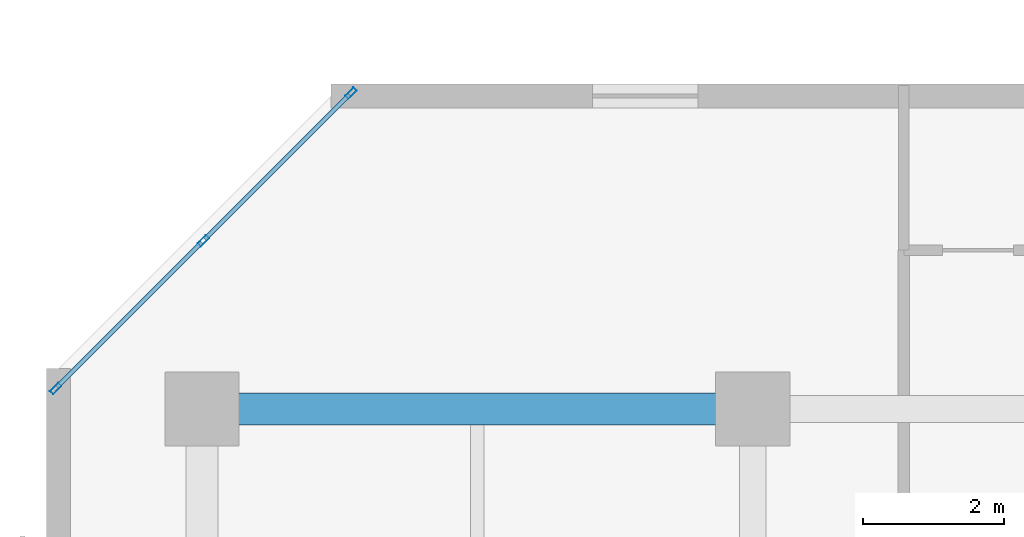
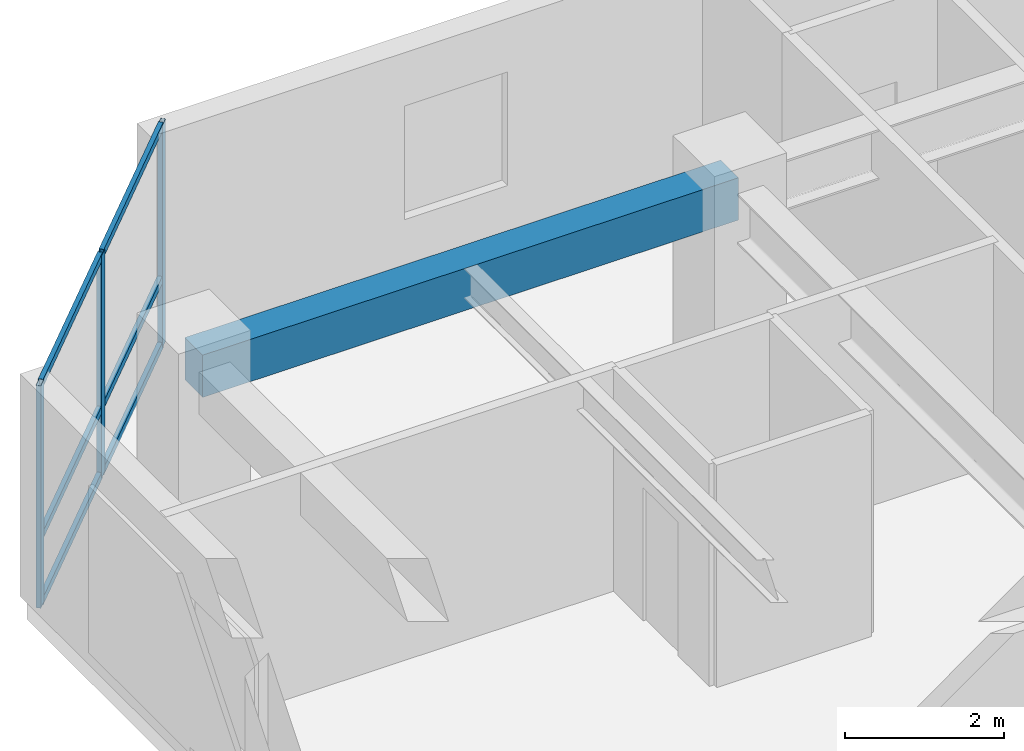
# One storey, part 2 of 11: 9 members, 1 beam, 1 element without a shape of its own.
"""IFC4 building model written with IfcOpenShell, lengths in metres."""

from ifc_helpers import new_model, si_unit, direction, frame, origin, origin_2d, place, context, subcontext, project, spatial, rectangle, hollow_rectangle, extrude, material, layer, layer_set, material_profile, profile_set, type_object, element, aggregate, save


model = new_model("IFC4")

# Units and contexts
model_context = context("Model", 3, precision=1e-05, world=origin(), true_north=direction((0.0, 1.0)))
body_context = subcontext(model_context, "Body", "Model", "MODEL_VIEW")
ifc_project = project(units=[si_unit("LENGTHUNIT", "METRE"), si_unit("AREAUNIT", "SQUARE_METRE"), si_unit("VOLUMEUNIT", "CUBIC_METRE"), si_unit("PLANEANGLEUNIT", "RADIAN"), si_unit("MASSUNIT", "GRAM", prefix="KILO")], contexts=[model_context])

# Site, building, storey
site_placement = place(None, origin())
site = spatial("IfcSite", under=ifc_project, at=site_placement, CompositionType="ELEMENT")
building_placement = place(site_placement, origin())
building = spatial("IfcBuilding", under=site, at=building_placement, Name="Kestravale Grand Hotel", CompositionType="ELEMENT")
storey_placement = place(building_placement, frame((0.0, 0.0, 180.199951171875)))
storey = spatial("IfcBuildingStorey", under=building, at=storey_placement, Name="L45", CompositionType="ELEMENT", Elevation=180.199951171875)

# Beam
ifc_material_1 = material(Name="Concrete f'c 45 MPa", Category="concrete")
ifc_material_profile_1 = material_profile(ifc_material_1, rectangle(XDim=0.449951171875, YDim=0.64990234375, at=origin_2d()))
ifc_profile_set_1 = profile_set([ifc_material_profile_1], Name="Concrete f'c 45 MPa")
beam_type = type_object("IfcBeamType", Name="B-FLR-RC650", PredefinedType="SPANDREL", material=ifc_profile_set_1)
beam_placement = place(storey_placement, frame((7.800048828125, 38.39990234375, 3.094970703125), z_axis=(1.0, 0.0, 0.0), x_axis=(0.0, 1.0, 0.0)))
element("IfcBeam", 1, at=beam_placement, inside=storey, type_object=beam_type, Name="L45 spandrel F:2-3", PredefinedType="SPANDREL", context=body_context, shape_type="SweptSolid", body=[
    extrude(rectangle(XDim=0.449951171875, YDim=0.64990234375, at=origin_2d()), origin(), (0.0, 0.0, 1.0), 7.800048828125),
])

# Curtain wall, members
ifc_material_2 = material(Name="Thermally broken champagne-bronze aluminium and low-E glazing", Category="aluminium")
ifc_layer = layer(ifc_material_2, 0.179931640625)
ifc_layer_set = layer_set([ifc_layer], Name="CW-Z3")
curtain_wall_type = type_object("IfcCurtainWallType", Name="CW-Z3", PredefinedType="NOTDEFINED", material=ifc_layer_set)
curtain_wall_placement = place(storey_placement, origin())
curtain_wall = element("IfcCurtainWall", 2, at=curtain_wall_placement, inside=storey, type_object=curtain_wall_type, Name="L45 unitised curtain wall 18", PredefinedType="NOTDEFINED")
ifc_material_3 = material(Name="Aluminium 6063-T6 anodised", Category="aluminium")
ifc_material_profile_2 = material_profile(ifc_material_3, hollow_rectangle(XDim=0.06494140625, YDim=0.1650390625, WallThickness=0.00341796875, at=origin_2d()))
ifc_profile_set_2 = profile_set([ifc_material_profile_2], Name="Aluminium 6063-T6 anodised")
member_type_1 = type_object("IfcMemberType", Name="CW-MUL-165", PredefinedType="MULLION", material=ifc_profile_set_2)
member_1_placement = place(storey_placement, frame((9.911376953125, 42.87109375, 0.0), z_axis=(0.0, 0.0, 1.0), x_axis=(0.707106781187, -0.707106781187, 0.0)))
member_1 = element("IfcMember", 3, at=member_1_placement, type_object=member_type_1, Name="CW-Z3 mullion 1", PredefinedType="MULLION", context=body_context, shape_type="SweptSolid", body=[
    extrude(hollow_rectangle(XDim=0.06494140625, YDim=0.1650390625, WallThickness=0.00341796875, at=origin_2d()), origin(), (0.0, 0.0, 1.0), 3.420166015625),
])
member_2_placement = place(storey_placement, frame((7.8203125, 40.77978515625, 0.0), z_axis=(0.0, 0.0, 1.0), x_axis=(0.707106781187, -0.707106781187, 0.0)))
member_2 = element("IfcMember", 4, at=member_2_placement, type_object=member_type_1, Name="CW-Z3 mullion 2", PredefinedType="MULLION", context=body_context, shape_type="SweptSolid", body=[
    extrude(hollow_rectangle(XDim=0.06494140625, YDim=0.1650390625, WallThickness=0.00341796875, at=origin_2d()), origin(), (0.0, 0.0, 1.0), 3.420166015625),
])
member_3_placement = place(storey_placement, frame((5.72900390625, 38.6884765625, 0.0), z_axis=(0.0, 0.0, 1.0), x_axis=(0.707106781187, -0.707106781187, 0.0)))
member_3 = element("IfcMember", 5, at=member_3_placement, type_object=member_type_1, Name="CW-Z3 mullion 3", PredefinedType="MULLION", context=body_context, shape_type="SweptSolid", body=[
    extrude(hollow_rectangle(XDim=0.06494140625, YDim=0.1650390625, WallThickness=0.00341796875, at=origin_2d()), origin(), (0.0, 0.0, 1.0), 3.420166015625),
])
ifc_material_4 = material(Name="Aluminium 6063-T6 anodised", Category="aluminium")
ifc_material_profile_3 = material_profile(ifc_material_4, hollow_rectangle(XDim=0.06494140625, YDim=0.114990234375, WallThickness=0.003173828125, at=origin_2d()))
ifc_profile_set_3 = profile_set([ifc_material_profile_3], Name="Aluminium 6063-T6 anodised")
member_type_2 = type_object("IfcMemberType", Name="CW-TRN-115", PredefinedType="USERDEFINED", material=ifc_profile_set_3)
member_4_placement = place(storey_placement, frame((9.888427734375, 42.84814453125, 0.032470703125), z_axis=(-0.707064577195, -0.707148982659, 0.0), x_axis=(0.707148982659, -0.707064577195, 0.0)))
member_4 = element("IfcMember", 6, at=member_4_placement, type_object=member_type_2, Name="CW-Z3 transom 1.1", ObjectType="TRANSOM", PredefinedType="USERDEFINED", context=body_context, shape_type="SweptSolid", body=[
    extrude(hollow_rectangle(XDim=0.06494140625, YDim=0.114990234375, WallThickness=0.003173828125, at=origin_2d()), origin(), (0.0, 0.0, 1.0), 2.892578125),
])
member_5_placement = place(storey_placement, frame((9.888427734375, 42.84814453125, 1.050048828125), z_axis=(-0.707064577195, -0.707148982659, 0.0), x_axis=(0.707148982659, -0.707064577195, 0.0)))
member_5 = element("IfcMember", 7, at=member_5_placement, type_object=member_type_2, Name="CW-Z3 transom 1.2", ObjectType="TRANSOM", PredefinedType="USERDEFINED", context=body_context, shape_type="SweptSolid", body=[
    extrude(hollow_rectangle(XDim=0.06494140625, YDim=0.114990234375, WallThickness=0.003173828125, at=origin_2d()), origin(), (0.0, 0.0, 1.0), 2.892578125),
])
member_6_placement = place(storey_placement, frame((9.888427734375, 42.84814453125, 3.387451171875), z_axis=(-0.707064577195, -0.707148982659, 0.0), x_axis=(0.707148982659, -0.707064577195, 0.0)))
member_6 = element("IfcMember", 8, at=member_6_placement, type_object=member_type_2, Name="CW-Z3 transom 1.3", ObjectType="TRANSOM", PredefinedType="USERDEFINED", context=body_context, shape_type="SweptSolid", body=[
    extrude(hollow_rectangle(XDim=0.06494140625, YDim=0.114990234375, WallThickness=0.003173828125, at=origin_2d()), origin(), (0.0, 0.0, 1.0), 2.892578125),
])
member_7_placement = place(storey_placement, frame((7.797119140625, 40.7568359375, 0.032470703125), z_axis=(-0.707106781187, -0.707106781187, 0.0), x_axis=(0.707106781187, -0.707106781187, 0.0)))
member_7 = element("IfcMember", 9, at=member_7_placement, type_object=member_type_2, Name="CW-Z3 transom 2.1", ObjectType="TRANSOM", PredefinedType="USERDEFINED", context=body_context, shape_type="SweptSolid", body=[
    extrude(hollow_rectangle(XDim=0.06494140625, YDim=0.114990234375, WallThickness=0.003173828125, at=origin_2d()), origin(), (0.0, 0.0, 1.0), 2.892333984375),
])
member_8_placement = place(storey_placement, frame((7.797119140625, 40.7568359375, 1.050048828125), z_axis=(-0.707106781187, -0.707106781187, 0.0), x_axis=(0.707106781187, -0.707106781187, 0.0)))
member_8 = element("IfcMember", 10, at=member_8_placement, type_object=member_type_2, Name="CW-Z3 transom 2.2", ObjectType="TRANSOM", PredefinedType="USERDEFINED", context=body_context, shape_type="SweptSolid", body=[
    extrude(hollow_rectangle(XDim=0.06494140625, YDim=0.114990234375, WallThickness=0.003173828125, at=origin_2d()), origin(), (0.0, 0.0, 1.0), 2.892333984375),
])
member_9_placement = place(storey_placement, frame((7.797119140625, 40.7568359375, 3.387451171875), z_axis=(-0.707106781187, -0.707106781187, 0.0), x_axis=(0.707106781187, -0.707106781187, 0.0)))
member_9 = element("IfcMember", 11, at=member_9_placement, type_object=member_type_2, Name="CW-Z3 transom 2.3", ObjectType="TRANSOM", PredefinedType="USERDEFINED", context=body_context, shape_type="SweptSolid", body=[
    extrude(hollow_rectangle(XDim=0.06494140625, YDim=0.114990234375, WallThickness=0.003173828125, at=origin_2d()), origin(), (0.0, 0.0, 1.0), 2.892333984375),
])
aggregate(curtain_wall, [member_1, member_2, member_3, member_4, member_5, member_6, member_7, member_8, member_9])

save(model, "model.ifc")
